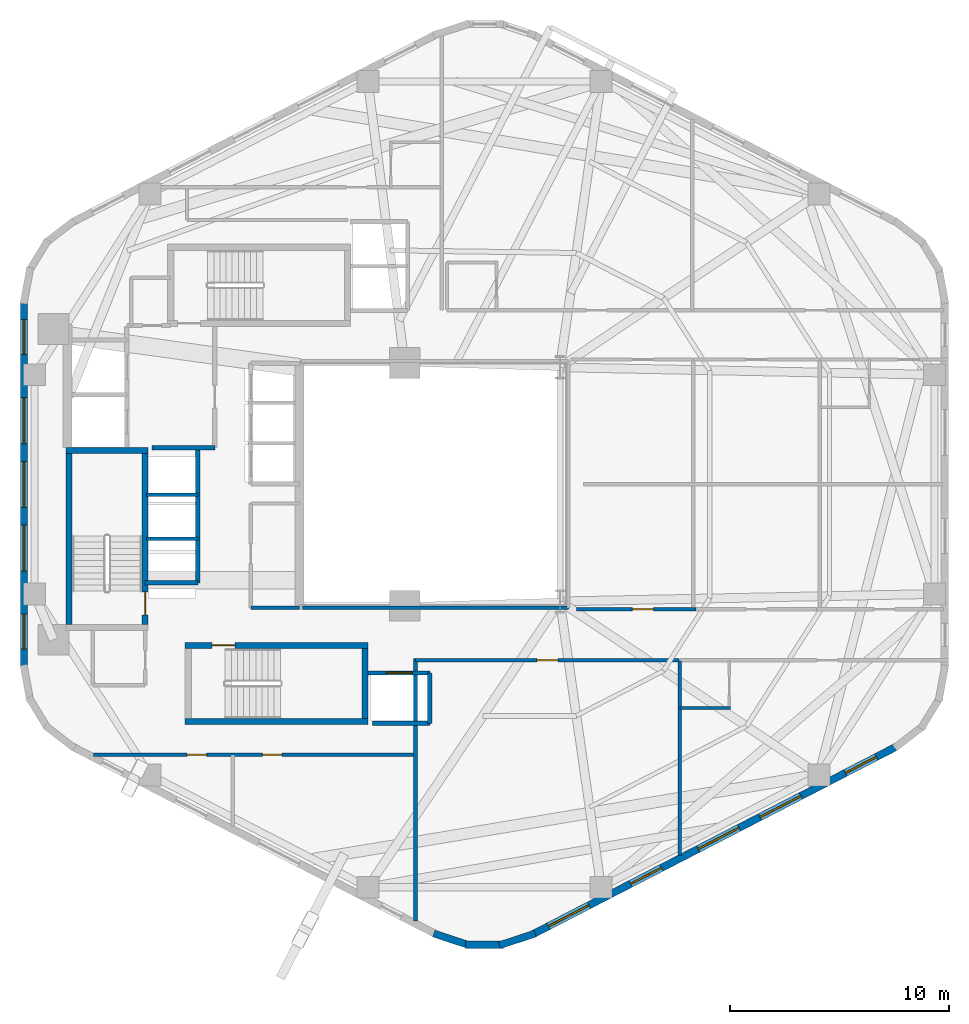
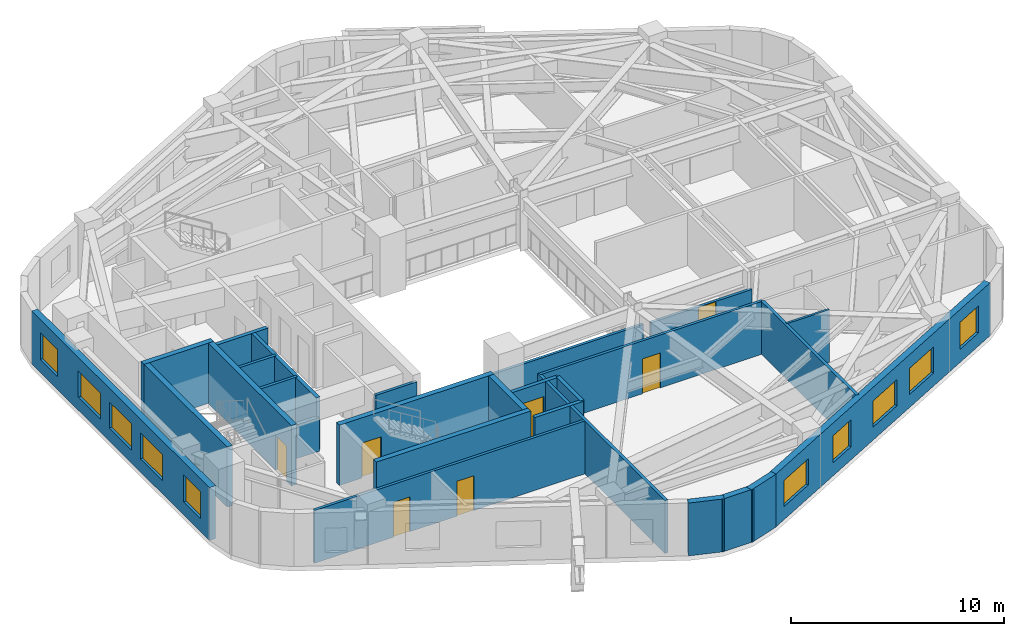
# One storey, part 3 of 7: 27 walls, 10 windows, 7 doors, 17 openings.
"""IFC4 building model written with IfcOpenShell, lengths in metres."""

import ifcopenshell
import ifcopenshell.guid

model = None  # the IFC model being written
_history = None  # IfcOwnerHistory: only IFC2X3 demands one
_inside = {}  # id of a spatial element -> (the spatial element, [elements in it])
_under = {}  # id of a project, library or spatial element -> (it, [spatial elements below it])
_declared = {}  # id of a project -> (the project, [libraries it declares])
_typed = {}  # id of a type object -> (the type object, [elements of that type])
_made_of = {}  # id of a material, layer set ... -> (it, [elements and type objects made of it])


def new_model(schema):
    """Start an empty IFC model of exactly this schema.

    Asked for "IFC4X3", IfcOpenShell would pick the latest addendum, in which some entities
    have other attributes; the version numbers below select the first issue.
    IFC2X3 requires an IfcOwnerHistory on every rooted entity: one is made here for all.
    """
    global model, _history
    if schema == "IFC4X3":
        model = ifcopenshell.file(schema_version=(4, 3, 0, 0))
    else:
        model = ifcopenshell.file(schema=schema)
    _inside.clear()
    _under.clear()
    _declared.clear()
    _typed.clear()
    _made_of.clear()
    _history = None
    if model.schema == "IFC2X3":
        org = make("IfcOrganization", Name="unknown")
        user = make(
            "IfcPersonAndOrganization",
            ThePerson=make("IfcPerson", FamilyName="unknown"),
            TheOrganization=org,
        )
        app = make(
            "IfcApplication",
            ApplicationDeveloper=org,
            Version="unknown",
            ApplicationFullName="unknown",
            ApplicationIdentifier="unknown",
        )
        _history = make(
            "IfcOwnerHistory",
            OwningUser=user,
            OwningApplication=app,
            ChangeAction="ADDED",
            CreationDate=0,
        )
    return model


def make(cls, **values):
    """One entity of the class cls with the attributes given. An attribute that is None is left unset."""
    return model.create_entity(
        cls, **{name: value for name, value in values.items() if value is not None}
    )


def rooted(cls, **values):
    """An entity with a GlobalId (a new one), such as an element, a storey or a relation."""
    return make(cls, GlobalId=ifcopenshell.guid.new(), OwnerHistory=_history, **values)


def si_unit(unit_type, name, prefix=None):
    """IfcSIUnit, for example si_unit("LENGTHUNIT", "METRE", prefix="MILLI")."""
    return make("IfcSIUnit", UnitType=unit_type, Prefix=prefix, Name=name)


def assignment(units):
    """IfcUnitAssignment: the units of a project."""
    return None if units is None else make("IfcUnitAssignment", Units=units)


def point(xyz):
    """IfcCartesianPoint."""
    return None if xyz is None else make("IfcCartesianPoint", Coordinates=xyz)


def direction(xyz):
    """IfcDirection."""
    return None if xyz is None else make("IfcDirection", DirectionRatios=xyz)


def frame(location, z_axis=None, x_axis=None):
    """IfcAxis2Placement3D, a coordinate frame: its origin and axes. An axis left out is left unset."""
    return make(
        "IfcAxis2Placement3D",
        Location=point(location),
        Axis=direction(z_axis),
        RefDirection=direction(x_axis),
    )


def frame_2d(location, x_axis=None):
    """IfcAxis2Placement2D, a coordinate frame in the plane: its origin and x axis."""
    return make(
        "IfcAxis2Placement2D", Location=point(location), RefDirection=direction(x_axis)
    )


def origin():
    """The frame at (0, 0, 0) with its axes left unset."""
    return frame((0.0, 0.0, 0.0))


def place(relative_to, where):
    """IfcLocalPlacement: puts the frame where relative to a parent placement (None: the world)."""
    return make(
        "IfcLocalPlacement", PlacementRelTo=relative_to, RelativePlacement=where
    )


def context(
    kind, dimensions, precision=None, world=None, true_north=None, identifier=None
):
    """IfcGeometricRepresentationContext, for example the 3D "Model" context."""
    return make(
        "IfcGeometricRepresentationContext",
        ContextIdentifier=identifier,
        ContextType=kind,
        CoordinateSpaceDimension=dimensions,
        Precision=precision,
        WorldCoordinateSystem=world,
        TrueNorth=true_north,
    )


def subcontext(parent, identifier, kind, view, scale=None):
    """IfcGeometricRepresentationSubContext, for example "Body" below "Model"."""
    return make(
        "IfcGeometricRepresentationSubContext",
        ContextIdentifier=identifier,
        ContextType=kind,
        ParentContext=parent,
        TargetScale=scale,
        TargetView=view,
    )


def project(units=None, contexts=None):
    """IfcProject with its units and contexts."""
    return rooted(
        "IfcProject",
        Name="project",
        RepresentationContexts=contexts,
        UnitsInContext=assignment(units),
    )


def spatial(cls, under=None, at=None, **own):
    """A site, building, storey or space (cls), placed at a placement, below another one or the project."""
    s = rooted(cls, ObjectPlacement=at, **own)
    if under is not None:
        _under.setdefault(under.id(), (under, []))[1].append(s)
    return s


def profile(cls, at=None, kind="AREA", **sizes):
    """A parametric profile (cls). Its sizes go by their IFC names, for example OverallWidth=200.0."""
    return make(cls, ProfileType=kind, Position=at, **sizes)


def rectangle(**sizes):
    """IfcRectangleProfileDef."""
    return profile("IfcRectangleProfileDef", **sizes)


def extrude(swept, where, along, depth):
    """IfcExtrudedAreaSolid: the profile swept, set in the frame where, extruded along a direction by depth."""
    return make(
        "IfcExtrudedAreaSolid",
        SweptArea=swept,
        Position=where,
        ExtrudedDirection=direction(along),
        Depth=depth,
    )


def shape(context_of_items, identifier, shape_type, items):
    """IfcShapeRepresentation: the items that make up one representation, for example the "Body"."""
    return make(
        "IfcShapeRepresentation",
        ContextOfItems=context_of_items,
        RepresentationIdentifier=identifier,
        RepresentationType=shape_type,
        Items=items,
    )


def material(Name=None, Category=None):
    """IfcMaterial."""
    return make("IfcMaterial", Name=Name, Category=Category)


def layer(
    of_material, thickness, ventilated=None, Name=None, Category=None, Priority=None
):
    """IfcMaterialLayer: one layer of a wall or slab, of a material (None: an air gap)."""
    return make(
        "IfcMaterialLayer",
        Material=of_material,
        LayerThickness=thickness,
        IsVentilated=ventilated,
        Name=Name,
        Category=Category,
        Priority=Priority,
    )


def layer_set(layers, Name=None):
    """IfcMaterialLayerSet."""
    return make("IfcMaterialLayerSet", MaterialLayers=layers, LayerSetName=Name)


def made_of(thing, what):
    """Note that an element or type object is made of a material, layer set ...; save() writes the relation."""
    if what is not None:
        _made_of.setdefault(what.id(), (what, []))[1].append(thing)
    return thing


def type_object(cls, material=None, **own):
    """A type object (cls), such as IfcWallType, which elements share."""
    return made_of(rooted(cls, **own), material)


def element(
    cls,
    number,
    at=None,
    inside=None,
    cuts=None,
    type_object=None,
    material=None,
    context=None,
    identifier="Body",
    shape_type=None,
    held_by="IfcProductDefinitionShape",
    body=None,
    shapes=None,
    **own,
):
    """One element of the class cls, such as IfcWall. Its Tag is "e" and its number.

    at: its placement. inside: the storey or other place that contains it. cuts: it is an
    opening in that element (IfcRelVoidsElement). A single representation is given by context,
    identifier, shape_type and body (its items); several are given by shapes. held_by: the class
    of the entity that holds the representations. save() writes the other relations.
    """
    e = rooted(cls, Tag="e%d" % number, ObjectPlacement=at, **own)
    if body is not None:
        shapes = [shape(context, identifier, shape_type, body)]
    if shapes is not None:
        e.Representation = make(held_by, Representations=shapes)
    if inside is not None:
        _inside.setdefault(inside.id(), (inside, []))[1].append(e)
    if cuts is not None:
        rooted(
            "IfcRelVoidsElement", RelatingBuildingElement=cuts, RelatedOpeningElement=e
        )
    if type_object is not None:
        _typed.setdefault(type_object.id(), (type_object, []))[1].append(e)
    return made_of(e, material)


def fill(opening, filler):
    """IfcRelFillsElement: the door or window that sits in an opening."""
    return rooted(
        "IfcRelFillsElement",
        RelatingOpeningElement=opening,
        RelatedBuildingElement=filler,
    )


def aggregate(whole, parts):
    """IfcRelAggregates: a whole, such as a stair, and the parts it consists of."""
    return rooted("IfcRelAggregates", RelatingObject=whole, RelatedObjects=parts)


def save(model, path):
    """Write the relations noted so far, then the file.

    IfcRelAggregates (storeys below a building ...), IfcRelContainedInSpatialStructure (elements
    in a storey), IfcRelDefinesByType, IfcRelAssociatesMaterial and IfcRelDeclares: one each for
    every whole, place, type object, material and project.
    """
    for whole, parts in _under.values():
        aggregate(whole, parts)
    for where, things in _inside.values():
        rooted(
            "IfcRelContainedInSpatialStructure",
            RelatedElements=things,
            RelatingStructure=where,
        )
    for kind, things in _typed.values():
        rooted("IfcRelDefinesByType", RelatedObjects=things, RelatingType=kind)
    for what, things in _made_of.values():
        rooted("IfcRelAssociatesMaterial", RelatedObjects=things, RelatingMaterial=what)
    for by, libraries in _declared.values():
        rooted("IfcRelDeclares", RelatingContext=by, RelatedDefinitions=libraries)
    model.write(path)


model = new_model("IFC4")

# Units and contexts
model_context = context("Model", 3, precision=1e-05, world=origin(), true_north=direction((0.0, 1.0)))
body_context = subcontext(model_context, "Body", "Model", "MODEL_VIEW")
ifc_project = project(units=[si_unit("LENGTHUNIT", "METRE"), si_unit("AREAUNIT", "SQUARE_METRE"), si_unit("VOLUMEUNIT", "CUBIC_METRE"), si_unit("PLANEANGLEUNIT", "RADIAN"), si_unit("MASSUNIT", "GRAM", prefix="KILO"), si_unit("THERMODYNAMICTEMPERATUREUNIT", "KELVIN"), si_unit("POWERUNIT", "WATT")], contexts=[model_context])

# Site, building, storey
site_placement = place(None, origin())
site = spatial("IfcSite", under=ifc_project, at=site_placement, CompositionType="ELEMENT")
building_placement = place(site_placement, origin())
building = spatial("IfcBuilding", under=site, at=building_placement, Name="Skarre Station Tower", CompositionType="ELEMENT")
storey_placement = place(building_placement, frame((0.0, 0.0, 160.199951171875)))
storey = spatial("IfcBuildingStorey", under=building, at=storey_placement, Name="L43", CompositionType="ELEMENT", Elevation=160.199951171875)

# Walls
ifc_material_1 = material(Name="Acoustic Steel-Stud Gypsum Partition", Category="steel")
ifc_layer_1 = layer(ifc_material_1, 0.14990234375, Name="Acoustic Steel-Stud Gypsum Partition")
ifc_layer_set_1 = layer_set([ifc_layer_1], Name="Acoustic Steel-Stud Gypsum Partition")
wall_type_1 = type_object("IfcWallType", Name="Fire-Rated Corridor Acoustic Partition 150", PredefinedType="PARTITIONING", material=ifc_layer_set_1)
wall_1_placement = place(storey_placement, frame((25.320068359375, 18.360107421875, 0.0), z_axis=(0.0, 0.0, 1.0), x_axis=(1.0, 0.0, 0.0)))
element("IfcWall", 1, at=wall_1_placement, inside=storey, type_object=wall_type_1, Name="L43 Interior Partition WL-PT-L43-RC1-S", PredefinedType="PARTITIONING", context=body_context, shape_type="SweptSolid", body=[
    extrude(rectangle(XDim=2.22998046875, YDim=0.14990234375, at=frame_2d((1.114990234375, 0.0))), origin(), (0.0, 0.0, 1.0), 3.030029296875),
])
wall_2_placement = place(storey_placement, frame((27.675048828125, 18.360107421875, 0.0), z_axis=(0.0, 0.0, 1.0), x_axis=(1.0, 0.0, 0.0)))
element("IfcWall", 2, at=wall_2_placement, inside=storey, type_object=wall_type_1, Name="L43 Interior Partition WL-PT-L43-ATRW-S", PredefinedType="PARTITIONING", context=body_context, shape_type="SweptSolid", body=[
    extrude(rectangle(XDim=12.1650390625, YDim=0.14990234375, at=frame_2d((6.08251953125, 0.0))), origin(), (0.0, 0.0, 1.0), 2.02197265625),
])

# Wall, openings, doors
wall_3_placement = place(storey_placement, frame((18.1259765625, 11.639892578125, 0.0), z_axis=(0.0, 0.0, 1.0), x_axis=(1.0, 0.0, 0.0)))
wall_3 = element("IfcWall", 3, at=wall_3_placement, inside=storey, type_object=wall_type_1, Name="L43 Interior Partition WL-PT-L43-SWP-N", PredefinedType="PARTITIONING", context=body_context, shape_type="SweptSolid", body=[
    extrude(rectangle(XDim=14.72412109375, YDim=0.14990234375, at=frame_2d((7.362060546875, 0.0))), origin(), (0.0, 0.0, 1.0), 3.030029296875),
])
opening_1_placement = place(wall_3_placement, frame((4.27392578125, 0.0, 0.0)))
opening_1 = element("IfcOpeningElement", 4, at=opening_1_placement, cuts=wall_3, Name="Opening DR-SVC90", PredefinedType="OPENING", context=body_context, shape_type="SweptSolid", body=[
    extrude(rectangle(XDim=0.89990234375, YDim=2.0, at=frame_2d((0.449951171875, 1.0))), frame((0.0, 0.0849609375, 0.0), z_axis=(0.0, -1.0, 0.0), x_axis=(1.0, 0.0, 0.0)), (0.0, 0.0, 1.0), 0.169921875),
])
opening_2_placement = place(wall_3_placement, frame((7.72412109375, 0.0, 0.0)))
opening_2 = element("IfcOpeningElement", 5, at=opening_2_placement, cuts=wall_3, Name="Opening DR-SVC90", PredefinedType="OPENING", context=body_context, shape_type="SweptSolid", body=[
    extrude(rectangle(XDim=0.89990234375, YDim=2.0, at=frame_2d((0.449951171875, 1.0))), frame((0.0, 0.0849609375, 0.0), z_axis=(0.0, -1.0, 0.0), x_axis=(1.0, 0.0, 0.0)), (0.0, 0.0, 1.0), 0.169921875),
])
ifc_material_2 = material(Name="Powder-Coated Hollow-Metal Acoustic Fire Leaf", Category="steel")
door_type_1 = type_object("IfcDoorType", Name="Service & Riser Fire Door FD60 900x2100", OperationType="SINGLE_SWING_LEFT", PredefinedType="DOOR", material=ifc_material_2)
door_1_placement = place(opening_1_placement, origin())
door_1 = element("IfcDoor", 6, at=door_1_placement, inside=storey, type_object=door_type_1, Name="L43 Floor Public Toilets Door", OperationType="SINGLE_SWING_LEFT", OverallHeight=2.0, OverallWidth=0.89990234375, PredefinedType="DOOR", context=body_context, shape_type="SweptSolid", body=[
    extrude(rectangle(XDim=0.89990234375, YDim=2.0, at=frame_2d((0.449951171875, 1.0))), frame((0.0, 0.02490234375, 0.0), z_axis=(0.0, -1.0, 0.0), x_axis=(1.0, 0.0, 0.0)), (0.0, 0.0, 1.0), 0.050048828125),
])
fill(opening_1, door_1)
door_2_placement = place(opening_2_placement, origin())
door_2 = element("IfcDoor", 7, at=door_2_placement, inside=storey, type_object=door_type_1, Name="L43 Housekeeping Room Door", OperationType="SINGLE_SWING_LEFT", OverallHeight=2.0, OverallWidth=0.89990234375, PredefinedType="DOOR", context=body_context, shape_type="SweptSolid", body=[
    extrude(rectangle(XDim=0.89990234375, YDim=2.0, at=frame_2d((0.449951171875, 1.0))), frame((0.0, 0.02490234375, 0.0), z_axis=(0.0, -1.0, 0.0), x_axis=(1.0, 0.0, 0.0)), (0.0, 0.0, 1.0), 0.050048828125),
])
fill(opening_2, door_2)

# Wall, opening, door
wall_4_placement = place(storey_placement, frame((45.6689453125, 18.2900390625, 0.0), z_axis=(0.0, 0.0, 1.0), x_axis=(-1.0, 0.0, 0.0)))
wall_4 = element("IfcWall", 8, at=wall_4_placement, inside=storey, type_object=wall_type_1, Name="L43 Interior Partition WL-PT-L43-EWS1-CW", PredefinedType="PARTITIONING", context=body_context, shape_type="SweptSolid", body=[
    extrude(rectangle(XDim=5.468994140625, YDim=0.14990234375, at=frame_2d((2.734375, 0.0))), origin(), (0.0, 0.0, 1.0), 2.02197265625),
])
opening_3_placement = place(wall_4_placement, frame((1.947021484375, 0.0, 0.0)))
opening_3 = element("IfcOpeningElement", 9, at=opening_3_placement, cuts=wall_4, Name="Opening DR-FD60", PredefinedType="OPENING", context=body_context, shape_type="SweptSolid", body=[
    extrude(rectangle(XDim=0.9599609375, YDim=2.0, at=frame_2d((0.47998046875, 1.0))), frame((0.0, 0.0849609375, 0.0), z_axis=(0.0, -1.0, 0.0), x_axis=(1.0, 0.0, 0.0)), (0.0, 0.0, 1.0), 0.169921875),
])
ifc_material_3 = material(Name="Nordic White-Oak Veneer Solid-Core Fire Leaf", Category="wood")
door_type_2 = type_object("IfcDoorType", Name="Corridor Suite Entry Fire Door FD60 960x2150", OperationType="SINGLE_SWING_LEFT", PredefinedType="DOOR", material=ifc_material_3)
door_3_placement = place(opening_3_placement, origin())
door_3 = element("IfcDoor", 10, at=door_3_placement, inside=storey, type_object=door_type_2, Name="L43 EWS1 Entry Door", OperationType="SINGLE_SWING_LEFT", OverallHeight=2.0, OverallWidth=0.9599609375, PredefinedType="DOOR", context=body_context, shape_type="SweptSolid", body=[
    extrude(rectangle(XDim=0.9599609375, YDim=2.0, at=frame_2d((0.47998046875, 1.0))), frame((0.0, 0.02490234375, 0.0), z_axis=(0.0, -1.0, 0.0), x_axis=(1.0, 0.0, 0.0)), (0.0, 0.0, 1.0), 0.050048828125),
])
fill(opening_3, door_3)

wall_5_placement = place(storey_placement, frame((32.85009765625, 15.9599609375, 0.0), z_axis=(0.0, 0.0, 1.0), x_axis=(1.0, 0.0, 0.0)))
wall_5 = element("IfcWall", 11, at=wall_5_placement, inside=storey, type_object=wall_type_1, Name="L43 Interior Partition WL-PT-L43-SW1-CW", PredefinedType="PARTITIONING", context=body_context, shape_type="SweptSolid", body=[
    extrude(rectangle(XDim=12.05078125, YDim=0.14990234375, at=frame_2d((6.025390625, 0.0))), origin(), (0.0, 0.0, 1.0), 3.030029296875),
])
opening_4_placement = place(wall_5_placement, frame((5.5458984375, 0.0, 0.0)))
opening_4 = element("IfcOpeningElement", 12, at=opening_4_placement, cuts=wall_5, Name="Opening DR-FD60", PredefinedType="OPENING", context=body_context, shape_type="SweptSolid", body=[
    extrude(rectangle(XDim=0.9599609375, YDim=2.0, at=frame_2d((0.47998046875, 1.0))), frame((0.0, 0.0849609375, 0.0), z_axis=(0.0, -1.0, 0.0), x_axis=(1.0, 0.0, 0.0)), (0.0, 0.0, 1.0), 0.169921875),
])
door_4_placement = place(opening_4_placement, origin())
door_4 = element("IfcDoor", 13, at=door_4_placement, inside=storey, type_object=door_type_2, Name="L43 SW1 Entry Door", OperationType="SINGLE_SWING_LEFT", OverallHeight=2.0, OverallWidth=0.9599609375, PredefinedType="DOOR", context=body_context, shape_type="SweptSolid", body=[
    extrude(rectangle(XDim=0.9599609375, YDim=2.0, at=frame_2d((0.47998046875, 1.0))), frame((0.0, 0.02490234375, 0.0), z_axis=(0.0, -1.0, 0.0), x_axis=(1.0, 0.0, 0.0)), (0.0, 0.0, 1.0), 0.050048828125),
])
fill(opening_4, door_4)

# Wall
ifc_material_4 = material(Name="Insulated Timber-Stud Gypsum Partition", Category="wood")
ifc_layer_2 = layer(ifc_material_4, 0.1201171875, Name="Insulated Timber-Stud Gypsum Partition")
ifc_layer_set_2 = layer_set([ifc_layer_2], Name="Insulated Timber-Stud Gypsum Partition")
wall_type_2 = type_object("IfcWallType", Name="Internal Suite Acoustic Partition 120", PredefinedType="PARTITIONING", material=ifc_layer_set_2)
wall_6_placement = place(storey_placement, frame((44.93701171875, 13.780029296875, 0.0), z_axis=(0.0, 0.0, 1.0), x_axis=(1.0, 0.0, 0.0)))
element("IfcWall", 14, at=wall_6_placement, inside=storey, type_object=wall_type_2, Name="L43 Interior Partition WL-PT-L43-SW2-EW1", PredefinedType="PARTITIONING", context=body_context, shape_type="SweptSolid", body=[
    extrude(rectangle(XDim=2.320068359375, YDim=0.1201171875, at=frame_2d((1.16015625, 0.0))), origin(), (0.0, 0.0, 1.0), 3.030029296875),
])

# Wall, openings, windows
ifc_material_5 = material(Name="Precast concrete C45/55", Category="concrete")
ifc_layer_3 = layer(ifc_material_5, 0.340087890625, Name="Precast concrete C45/55")
ifc_layer_set_3 = layer_set([ifc_layer_3], Name="Precast concrete C45/55")
wall_type_3 = type_object("IfcWallType", Name="Nordic Honed Precast Facet Wall 340", PredefinedType="STANDARD", material=ifc_layer_set_3)
wall_7_placement = place(storey_placement, frame((14.951904296875, 15.64794921875, 0.0), z_axis=(0.0, 0.0, 1.0), x_axis=(0.0, 1.0, 0.0)))
wall_7 = element("IfcWall", 15, at=wall_7_placement, inside=storey, type_object=wall_type_3, Name="L43 Facet 2 Nordic Precast Masonry Wall", PredefinedType="STANDARD", context=body_context, shape_type="SweptSolid", body=[
    extrude(rectangle(XDim=16.7041015625, YDim=0.340087890625, at=frame_2d((8.35205078125, 0.0))), origin(), (0.0, 0.0, 1.0), 3.030029296875),
])
opening_5_placement = place(wall_7_placement, frame((0.825927734375, 0.0, 0.75)))
opening_5 = element("IfcOpeningElement", 16, at=opening_5_placement, cuts=wall_7, Name="Opening WN-Z2A", PredefinedType="OPENING", context=body_context, shape_type="SweptSolid", body=[
    extrude(rectangle(XDim=1.60009765625, YDim=1.550048828125, at=frame_2d((0.800048828125, 0.77490234375))), frame((0.0, 0.179931640625, 0.0), z_axis=(0.0, -1.0, 0.0), x_axis=(1.0, 0.0, 0.0)), (0.0, 0.0, 1.0), 0.360107421875),
])
opening_6_placement = place(wall_7_placement, frame((4.387939453125, 0.0, 0.75)))
opening_6 = element("IfcOpeningElement", 17, at=opening_6_placement, cuts=wall_7, Name="Opening WN-Z2B", PredefinedType="OPENING", context=body_context, shape_type="SweptSolid", body=[
    extrude(rectangle(XDim=2.10009765625, YDim=1.5, at=frame_2d((1.050048828125, 0.75))), frame((0.0, 0.179931640625, 0.0), z_axis=(0.0, -1.0, 0.0), x_axis=(1.0, 0.0, 0.0)), (0.0, 0.0, 1.0), 0.360107421875),
])
opening_7_placement = place(wall_7_placement, frame((7.302001953125, 0.0, 0.75)))
opening_7 = element("IfcOpeningElement", 18, at=opening_7_placement, cuts=wall_7, Name="Opening WN-Z2B", PredefinedType="OPENING", context=body_context, shape_type="SweptSolid", body=[
    extrude(rectangle(XDim=2.10009765625, YDim=1.5, at=frame_2d((1.050048828125, 0.75))), frame((0.0, 0.179931640625, 0.0), z_axis=(0.0, -1.0, 0.0), x_axis=(1.0, 0.0, 0.0)), (0.0, 0.0, 1.0), 0.360107421875),
])
opening_8_placement = place(wall_7_placement, frame((10.216064453125, 0.0, 0.75)))
opening_8 = element("IfcOpeningElement", 19, at=opening_8_placement, cuts=wall_7, Name="Opening WN-Z2B", PredefinedType="OPENING", context=body_context, shape_type="SweptSolid", body=[
    extrude(rectangle(XDim=2.10009765625, YDim=1.5, at=frame_2d((1.050048828125, 0.75))), frame((0.0, 0.179931640625, 0.0), z_axis=(0.0, -1.0, 0.0), x_axis=(1.0, 0.0, 0.0)), (0.0, 0.0, 1.0), 0.360107421875),
])
opening_9_placement = place(wall_7_placement, frame((14.278076171875, 0.0, 0.75)))
opening_9 = element("IfcOpeningElement", 20, at=opening_9_placement, cuts=wall_7, Name="Opening WN-Z2A", PredefinedType="OPENING", context=body_context, shape_type="SweptSolid", body=[
    extrude(rectangle(XDim=1.60009765625, YDim=1.550048828125, at=frame_2d((0.800048828125, 0.77490234375))), frame((0.0, 0.179931640625, 0.0), z_axis=(0.0, -1.0, 0.0), x_axis=(1.0, 0.0, 0.0)), (0.0, 0.0, 1.0), 0.360107421875),
])
ifc_material_6 = material(Name="Low-Iron Triple Glazing with Bronze Anodized Frame", Category="glass")
window_type_1 = type_object("IfcWindowType", Name="Nordic Residential Tall Window 1600x1550", PartitioningType="SINGLE_PANEL", PredefinedType="WINDOW", material=ifc_material_6)
window_1_placement = place(opening_5_placement, origin())
window_1 = element("IfcWindow", 21, at=window_1_placement, inside=storey, type_object=window_type_1, Name="L43 Facade Window WL-FAC-L43-F2-1", OverallHeight=1.550048828125, OverallWidth=1.60009765625, PartitioningType="SINGLE_PANEL", PredefinedType="WINDOW", context=body_context, shape_type="SweptSolid", body=[
    extrude(rectangle(XDim=1.60009765625, YDim=1.550048828125, at=frame_2d((0.800048828125, 0.77490234375))), frame((0.0, 0.030029296875, 0.0), z_axis=(0.0, -1.0, 0.0), x_axis=(1.0, 0.0, 0.0)), (0.0, 0.0, 1.0), 0.06005859375),
])
fill(opening_5, window_1)
window_2_placement = place(opening_9_placement, origin())
window_2 = element("IfcWindow", 22, at=window_2_placement, inside=storey, type_object=window_type_1, Name="L43 Facade Window WL-FAC-L43-F2-5", OverallHeight=1.550048828125, OverallWidth=1.60009765625, PartitioningType="SINGLE_PANEL", PredefinedType="WINDOW", context=body_context, shape_type="SweptSolid", body=[
    extrude(rectangle(XDim=1.60009765625, YDim=1.550048828125, at=frame_2d((0.800048828125, 0.77490234375))), frame((0.0, 0.030029296875, 0.0), z_axis=(0.0, -1.0, 0.0), x_axis=(1.0, 0.0, 0.0)), (0.0, 0.0, 1.0), 0.06005859375),
])
fill(opening_9, window_2)
window_type_2 = type_object("IfcWindowType", Name="Nordic Residential Twin Window 2100x1500", PartitioningType="SINGLE_PANEL", PredefinedType="WINDOW", material=ifc_material_6)
window_3_placement = place(opening_6_placement, origin())
window_3 = element("IfcWindow", 23, at=window_3_placement, inside=storey, type_object=window_type_2, Name="L43 Facade Window WL-FAC-L43-F2-2", OverallHeight=1.5, OverallWidth=2.10009765625, PartitioningType="SINGLE_PANEL", PredefinedType="WINDOW", context=body_context, shape_type="SweptSolid", body=[
    extrude(rectangle(XDim=2.10009765625, YDim=1.5, at=frame_2d((1.050048828125, 0.75))), frame((0.0, 0.030029296875, 0.0), z_axis=(0.0, -1.0, 0.0), x_axis=(1.0, 0.0, 0.0)), (0.0, 0.0, 1.0), 0.06005859375),
])
fill(opening_6, window_3)
window_4_placement = place(opening_7_placement, origin())
window_4 = element("IfcWindow", 24, at=window_4_placement, inside=storey, type_object=window_type_2, Name="L43 Facade Window WL-FAC-L43-F2-3", OverallHeight=1.5, OverallWidth=2.10009765625, PartitioningType="SINGLE_PANEL", PredefinedType="WINDOW", context=body_context, shape_type="SweptSolid", body=[
    extrude(rectangle(XDim=2.10009765625, YDim=1.5, at=frame_2d((1.050048828125, 0.75))), frame((0.0, 0.030029296875, 0.0), z_axis=(0.0, -1.0, 0.0), x_axis=(1.0, 0.0, 0.0)), (0.0, 0.0, 1.0), 0.06005859375),
])
fill(opening_7, window_4)
window_5_placement = place(opening_8_placement, origin())
window_5 = element("IfcWindow", 25, at=window_5_placement, inside=storey, type_object=window_type_2, Name="L43 Facade Window WL-FAC-L43-F2-4", OverallHeight=1.5, OverallWidth=2.10009765625, PartitioningType="SINGLE_PANEL", PredefinedType="WINDOW", context=body_context, shape_type="SweptSolid", body=[
    extrude(rectangle(XDim=2.10009765625, YDim=1.5, at=frame_2d((1.050048828125, 0.75))), frame((0.0, 0.030029296875, 0.0), z_axis=(0.0, -1.0, 0.0), x_axis=(1.0, 0.0, 0.0)), (0.0, 0.0, 1.0), 0.06005859375),
])
fill(opening_8, window_5)

wall_8_placement = place(storey_placement, frame((54.8310546875, 12.010009765625, 0.0), z_axis=(0.0, 0.0, 1.0), x_axis=(-0.888613612362, -0.458656568606, 0.0)))
wall_8 = element("IfcWall", 26, at=wall_8_placement, inside=storey, type_object=wall_type_3, Name="L43 Facet 4 Nordic Precast Masonry Wall", PredefinedType="STANDARD", context=body_context, shape_type="SweptSolid", body=[
    extrude(rectangle(XDim=18.680908203125, YDim=0.340087890625, at=frame_2d((9.34033203125, 0.0))), origin(), (0.0, 0.0, 1.0), 3.030029296875),
])
opening_10_placement = place(wall_8_placement, frame((1.02294921875, 0.0, 0.75)))
opening_10 = element("IfcOpeningElement", 27, at=opening_10_placement, cuts=wall_8, Name="Opening WN-Z2A", PredefinedType="OPENING", context=body_context, shape_type="SweptSolid", body=[
    extrude(rectangle(XDim=1.60009765625, YDim=1.550048828125, at=frame_2d((0.800048828125, 0.77490234375))), frame((0.0, 0.179931640625, 0.0), z_axis=(0.0, -1.0, 0.0), x_axis=(1.0, 0.0, 0.0)), (0.0, 0.0, 1.0), 0.360107421875),
])
opening_11_placement = place(wall_8_placement, frame((4.9140625, 0.0, 0.75)))
opening_11 = element("IfcOpeningElement", 28, at=opening_11_placement, cuts=wall_8, Name="Opening WN-Z2B", PredefinedType="OPENING", context=body_context, shape_type="SweptSolid", body=[
    extrude(rectangle(XDim=2.10009765625, YDim=1.5, at=frame_2d((1.050048828125, 0.75))), frame((0.0, 0.179931640625, 0.0), z_axis=(0.0, -1.0, 0.0), x_axis=(1.0, 0.0, 0.0)), (0.0, 0.0, 1.0), 0.360107421875),
])
opening_12_placement = place(wall_8_placement, frame((8.092041015625, 0.0, 0.75)))
opening_12 = element("IfcOpeningElement", 29, at=opening_12_placement, cuts=wall_8, Name="Opening WN-Z2B", PredefinedType="OPENING", context=body_context, shape_type="SweptSolid", body=[
    extrude(rectangle(XDim=2.10009765625, YDim=1.5, at=frame_2d((1.050048828125, 0.75))), frame((0.0, 0.179931640625, 0.0), z_axis=(0.0, -1.0, 0.0), x_axis=(1.0, 0.0, 0.0)), (0.0, 0.0, 1.0), 0.360107421875),
])
opening_13_placement = place(wall_8_placement, frame((12.080078125, 0.0, 0.75)))
opening_13 = element("IfcOpeningElement", 30, at=opening_13_placement, cuts=wall_8, Name="Opening WN-Z2A", PredefinedType="OPENING", context=body_context, shape_type="SweptSolid", body=[
    extrude(rectangle(XDim=1.60009765625, YDim=1.550048828125, at=frame_2d((0.800048828125, 0.77490234375))), frame((0.0, 0.179931640625, 0.0), z_axis=(0.0, -1.0, 0.0), x_axis=(1.0, 0.0, 0.0)), (0.0, 0.0, 1.0), 0.360107421875),
])
opening_14_placement = place(wall_8_placement, frame((15.80810546875, 0.0, 0.75)))
opening_14 = element("IfcOpeningElement", 31, at=opening_14_placement, cuts=wall_8, Name="Opening WN-Z2B", PredefinedType="OPENING", context=body_context, shape_type="SweptSolid", body=[
    extrude(rectangle(XDim=2.10009765625, YDim=1.5, at=frame_2d((1.050048828125, 0.75))), frame((0.0, 0.179931640625, 0.0), z_axis=(0.0, -1.0, 0.0), x_axis=(1.0, 0.0, 0.0)), (0.0, 0.0, 1.0), 0.360107421875),
])
window_6_placement = place(opening_10_placement, origin())
window_6 = element("IfcWindow", 32, at=window_6_placement, inside=storey, type_object=window_type_1, Name="L43 Facade Window WL-FAC-L43-F4-1", OverallHeight=1.550048828125, OverallWidth=1.60009765625, PartitioningType="SINGLE_PANEL", PredefinedType="WINDOW", context=body_context, shape_type="SweptSolid", body=[
    extrude(rectangle(XDim=1.60009765625, YDim=1.550048828125, at=frame_2d((0.800048828125, 0.77490234375))), frame((0.0, 0.030029296875, 0.0), z_axis=(0.0, -1.0, 0.0), x_axis=(1.0, 0.0, 0.0)), (0.0, 0.0, 1.0), 0.06005859375),
])
fill(opening_10, window_6)
window_7_placement = place(opening_13_placement, origin())
window_7 = element("IfcWindow", 33, at=window_7_placement, inside=storey, type_object=window_type_1, Name="L43 Facade Window WL-FAC-L43-F4-4", OverallHeight=1.550048828125, OverallWidth=1.60009765625, PartitioningType="SINGLE_PANEL", PredefinedType="WINDOW", context=body_context, shape_type="SweptSolid", body=[
    extrude(rectangle(XDim=1.60009765625, YDim=1.550048828125, at=frame_2d((0.800048828125, 0.77490234375))), frame((0.0, 0.030029296875, 0.0), z_axis=(0.0, -1.0, 0.0), x_axis=(1.0, 0.0, 0.0)), (0.0, 0.0, 1.0), 0.06005859375),
])
fill(opening_13, window_7)
window_8_placement = place(opening_11_placement, origin())
window_8 = element("IfcWindow", 34, at=window_8_placement, inside=storey, type_object=window_type_2, Name="L43 Facade Window WL-FAC-L43-F4-2", OverallHeight=1.5, OverallWidth=2.10009765625, PartitioningType="SINGLE_PANEL", PredefinedType="WINDOW", context=body_context, shape_type="SweptSolid", body=[
    extrude(rectangle(XDim=2.10009765625, YDim=1.5, at=frame_2d((1.050048828125, 0.75))), frame((0.0, 0.030029296875, 0.0), z_axis=(0.0, -1.0, 0.0), x_axis=(1.0, 0.0, 0.0)), (0.0, 0.0, 1.0), 0.06005859375),
])
fill(opening_11, window_8)
window_9_placement = place(opening_12_placement, origin())
window_9 = element("IfcWindow", 35, at=window_9_placement, inside=storey, type_object=window_type_2, Name="L43 Facade Window WL-FAC-L43-F4-3", OverallHeight=1.5, OverallWidth=2.10009765625, PartitioningType="SINGLE_PANEL", PredefinedType="WINDOW", context=body_context, shape_type="SweptSolid", body=[
    extrude(rectangle(XDim=2.10009765625, YDim=1.5, at=frame_2d((1.050048828125, 0.75))), frame((0.0, 0.030029296875, 0.0), z_axis=(0.0, -1.0, 0.0), x_axis=(1.0, 0.0, 0.0)), (0.0, 0.0, 1.0), 0.06005859375),
])
fill(opening_12, window_9)
window_10_placement = place(opening_14_placement, origin())
window_10 = element("IfcWindow", 36, at=window_10_placement, inside=storey, type_object=window_type_2, Name="L43 Facade Window WL-FAC-L43-F4-5", OverallHeight=1.5, OverallWidth=2.10009765625, PartitioningType="SINGLE_PANEL", PredefinedType="WINDOW", context=body_context, shape_type="SweptSolid", body=[
    extrude(rectangle(XDim=2.10009765625, YDim=1.5, at=frame_2d((1.050048828125, 0.75))), frame((0.0, 0.030029296875, 0.0), z_axis=(0.0, -1.0, 0.0), x_axis=(1.0, 0.0, 0.0)), (0.0, 0.0, 1.0), 0.06005859375),
])
fill(opening_14, window_10)

# Walls
ifc_layer_4 = layer(ifc_material_5, 0.330078125, Name="Precast concrete C45/55")
ifc_layer_set_4 = layer_set([ifc_layer_4], Name="Precast concrete C45/55")
wall_type_4 = type_object("IfcWallType", Name="Nordic Rounded Corner Precast Wall 330", PredefinedType="STANDARD", material=ifc_layer_set_4)
for number, where, z_axis, x_axis, name in (
    (37, (38.319091796875, 3.468017578125, 0.0), (0.0, 0.0, 1.0), (-0.949937416267, -0.312440242569, 0.0), "L43 Rounded Corner Precast Wall F4-1"),
    (38, (36.861083984375, 2.958984375, 0.0), (0.0, 0.0, 1.0), (-1.0, 0.0, 0.0), "L43 Rounded Corner Precast Wall F4-2"),
    (39, (35.31689453125, 2.929931640625, 0.0), (0.0, 0.0, 1.0), (-0.949937416267, 0.312440242569, 0.0), "L43 Rounded Corner Precast Wall F4-3"),
):
    element("IfcWall", number, at=place(storey_placement, frame(where, z_axis=z_axis, x_axis=x_axis)), inside=storey, type_object=wall_type_4, Name=name, PredefinedType="STANDARD", context=body_context, shape_type="SweptSolid", body=[
        extrude(rectangle(XDim=1.72216796875, YDim=0.330078125, at=frame_2d((0.861083984375, 0.0))), origin(), (0.0, 0.0, 1.0), 3.030029296875),
    ])
ifc_material_7 = material(Name="Concrete C50/60", Category="concrete")
ifc_layer_5 = layer(ifc_material_7, 0.280029296875, Name="Concrete C50/60")
ifc_layer_set_5 = layer_set([ifc_layer_5], Name="Concrete C50/60")
wall_type_5 = type_object("IfcWallType", Name="RC Core Shear Wall 280", PredefinedType="SHEAR", material=ifc_layer_set_5)
wall_9_placement = place(storey_placement, frame((20.6298828125, 25.5400390625, 0.0), z_axis=(0.0, 0.0, 1.0), x_axis=(-1.0, 0.0, 0.0)))
element("IfcWall", 40, at=wall_9_placement, inside=storey, type_object=wall_type_5, Name="L43 Stair ST-1 North Shear Wall", PredefinedType="SHEAR", context=body_context, shape_type="SweptSolid", body=[
    extrude(rectangle(XDim=3.759765625, YDim=0.280029296875, at=frame_2d((1.8798828125, 0.0))), origin(), (0.0, 0.0, 1.0), 3.449951171875),
])
wall_10_placement = place(storey_placement, frame((17.010009765625, 25.39990234375, 0.0), z_axis=(0.0, 0.0, 1.0), x_axis=(0.0, -1.0, 0.0)))
element("IfcWall", 41, at=wall_10_placement, inside=storey, type_object=wall_type_5, Name="L43 Stair ST-1 West Shear Wall", PredefinedType="SHEAR", context=body_context, shape_type="SweptSolid", body=[
    extrude(rectangle(XDim=7.7998046875, YDim=0.280029296875, at=frame_2d((3.89990234375, 0.0))), origin(), (0.0, 0.0, 1.0), 3.449951171875),
])

# Wall, opening, door
wall_11_placement = place(storey_placement, frame((20.489990234375, 17.60009765625, 0.0), z_axis=(0.0, 0.0, 1.0), x_axis=(0.0, 1.0, 0.0)))
wall_11 = element("IfcWall", 42, at=wall_11_placement, inside=storey, type_object=wall_type_5, Name="L43 Stair ST-1 East Shear Wall", PredefinedType="SHEAR", context=body_context, shape_type="SweptSolid", body=[
    extrude(rectangle(XDim=7.7998046875, YDim=0.280029296875, at=frame_2d((3.89990234375, 0.0))), origin(), (0.0, 0.0, 1.0), 3.449951171875),
])
opening_15_placement = place(wall_11_placement, frame((0.43994140625, 0.0, 0.0)))
opening_15 = element("IfcOpeningElement", 43, at=opening_15_placement, cuts=wall_11, Name="Opening DR-FD90", PredefinedType="OPENING", context=body_context, shape_type="SweptSolid", body=[
    extrude(rectangle(XDim=1.050048828125, YDim=2.0, at=frame_2d((0.52490234375, 1.0))), frame((0.0, 0.14990234375, 0.0), z_axis=(0.0, -1.0, 0.0), x_axis=(1.0, 0.0, 0.0)), (0.0, 0.0, 1.0), 0.300048828125),
])
ifc_material_8 = material(Name="Fire-Rated Insulated Steel Frame & Timber Core Leaf", Category="steel")
door_type_3 = type_object("IfcDoorType", Name="Stair & FSAE Lobby Fire Door FD90 1050x2150", OperationType="SINGLE_SWING_RIGHT", PredefinedType="DOOR", material=ifc_material_8)
door_5_placement = place(opening_15_placement, origin())
door_5 = element("IfcDoor", 44, at=door_5_placement, inside=storey, type_object=door_type_3, Name="L43 Stair ST-1 Exit Door", OperationType="SINGLE_SWING_RIGHT", OverallHeight=2.0, OverallWidth=1.050048828125, PredefinedType="DOOR", context=body_context, shape_type="SweptSolid", body=[
    extrude(rectangle(XDim=1.050048828125, YDim=2.0, at=frame_2d((0.52490234375, 1.0))), frame((0.0, 0.02490234375, 0.0), z_axis=(0.0, -1.0, 0.0), x_axis=(1.0, 0.0, 0.0)), (0.0, 0.0, 1.0), 0.050048828125),
])
fill(opening_15, door_5)

# Wall
wall_12_placement = place(storey_placement, frame((22.320068359375, 13.159912109375, 0.0), z_axis=(0.0, 0.0, 1.0), x_axis=(1.0, 0.0, 0.0)))
element("IfcWall", 45, at=wall_12_placement, inside=storey, type_object=wall_type_5, Name="L43 Stair ST-2 South Shear Wall", PredefinedType="SHEAR", context=body_context, shape_type="SweptSolid", body=[
    extrude(rectangle(XDim=8.35986328125, YDim=0.280029296875, at=frame_2d((4.179931640625, 0.0))), origin(), (0.0, 0.0, 1.0), 3.449951171875),
])

# Wall, opening, door
wall_13_placement = place(storey_placement, frame((30.679931640625, 16.639892578125, 0.0), z_axis=(0.0, 0.0, 1.0), x_axis=(-1.0, 0.0, 0.0)))
wall_13 = element("IfcWall", 46, at=wall_13_placement, inside=storey, type_object=wall_type_5, Name="L43 Stair ST-2 North Shear Wall", PredefinedType="SHEAR", context=body_context, shape_type="SweptSolid", body=[
    extrude(rectangle(XDim=8.35986328125, YDim=0.280029296875, at=frame_2d((4.179931640625, 0.0))), origin(), (0.0, 0.0, 1.0), 3.449951171875),
])
opening_16_placement = place(wall_13_placement, frame((6.080078125, 0.0, 0.0)))
opening_16 = element("IfcOpeningElement", 47, at=opening_16_placement, cuts=wall_13, Name="Opening DR-FD90", PredefinedType="OPENING", context=body_context, shape_type="SweptSolid", body=[
    extrude(rectangle(XDim=1.050048828125, YDim=2.0, at=frame_2d((0.52490234375, 1.0))), frame((0.0, 0.14990234375, 0.0), z_axis=(0.0, -1.0, 0.0), x_axis=(1.0, 0.0, 0.0)), (0.0, 0.0, 1.0), 0.300048828125),
])
door_6_placement = place(opening_16_placement, origin())
door_6 = element("IfcDoor", 48, at=door_6_placement, inside=storey, type_object=door_type_3, Name="L43 Stair ST-2 Exit Door", OperationType="SINGLE_SWING_RIGHT", OverallHeight=2.0, OverallWidth=1.050048828125, PredefinedType="DOOR", context=body_context, shape_type="SweptSolid", body=[
    extrude(rectangle(XDim=1.050048828125, YDim=2.0, at=frame_2d((0.52490234375, 1.0))), frame((0.0, 0.02490234375, 0.0), z_axis=(0.0, -1.0, 0.0), x_axis=(1.0, 0.0, 0.0)), (0.0, 0.0, 1.0), 0.050048828125),
])
fill(opening_16, door_6)

# Walls
wall_14_placement = place(storey_placement, frame((30.5400390625, 13.300048828125, 0.0), z_axis=(0.0, 0.0, 1.0), x_axis=(0.0, 1.0, 0.0)))
element("IfcWall", 49, at=wall_14_placement, inside=storey, type_object=wall_type_5, Name="L43 Stair ST-2 East Shear Wall", PredefinedType="SHEAR", context=body_context, shape_type="SweptSolid", body=[
    extrude(rectangle(XDim=3.199951171875, YDim=0.280029296875, at=frame_2d((1.60009765625, 0.0))), origin(), (0.0, 0.0, 1.0), 3.449951171875),
])
ifc_material_9 = material(Name="Gypsum Concrete Shaft Assembly C30/37", Category="concrete")
ifc_layer_6 = layer(ifc_material_9, 0.199951171875, Name="Gypsum Concrete Shaft Assembly C30/37")
ifc_layer_set_6 = layer_set([ifc_layer_6], Name="Gypsum Concrete Shaft Assembly C30/37")
wall_type_6 = type_object("IfcWallType", Name="Shaft & Core Fire Partition 200", PredefinedType="PARTITIONING", material=ifc_layer_set_6)
wall_15_placement = place(storey_placement, frame((20.79296875, 25.679931640625, 0.0), z_axis=(0.0, 0.0, 1.0), x_axis=(1.0, 0.0, 0.0)))
element("IfcWall", 50, at=wall_15_placement, inside=storey, type_object=wall_type_6, Name="L43 Interior Partition WL-PT-L43-FSAE-S", PredefinedType="PARTITIONING", context=body_context, shape_type="SweptSolid", body=[
    extrude(rectangle(XDim=2.886962890625, YDim=0.199951171875, at=frame_2d((1.443359375, 0.0))), origin(), (0.0, 0.0, 1.0), 3.030029296875),
])

# Wall, opening, door
wall_16_placement = place(storey_placement, frame((33.5, 15.3798828125, 0.0), z_axis=(0.0, 0.0, 1.0), x_axis=(-1.0, 0.0, 0.0)))
wall_16 = element("IfcWall", 51, at=wall_16_placement, inside=storey, type_object=wall_type_6, Name="L43 Interior Partition WL-PT-L43-SV1-N", PredefinedType="PARTITIONING", context=body_context, shape_type="SweptSolid", body=[
    extrude(rectangle(XDim=2.820068359375, YDim=0.199951171875, at=frame_2d((1.41015625, 0.0))), origin(), (0.0, 0.0, 1.0), 3.030029296875),
])
opening_17_placement = place(wall_16_placement, frame((0.800048828125, 0.0, 0.0)))
opening_17 = element("IfcOpeningElement", 52, at=opening_17_placement, cuts=wall_16, Name="Opening LD-SV1", PredefinedType="OPENING", context=body_context, shape_type="SweptSolid", body=[
    extrude(rectangle(XDim=1.199951171875, YDim=2.199951171875, at=frame_2d((0.60009765625, 1.10009765625))), frame((0.0, 0.10986328125, 0.0), z_axis=(0.0, -1.0, 0.0), x_axis=(1.0, 0.0, 0.0)), (0.0, 0.0, 1.0), 0.219970703125),
])
ifc_material_10 = material(Name="Heavy-Gauge Brushed Stainless Steel Sliding Leaves", Category="steel")
door_type_4 = type_object("IfcDoorType", Name="Service Elevator Wide Sliding Landing Door 1200x2200", OperationType="SLIDING_TO_RIGHT", PredefinedType="DOOR", material=ifc_material_10)
door_7_placement = place(opening_17_placement, origin())
door_7 = element("IfcDoor", 53, at=door_7_placement, inside=storey, type_object=door_type_4, Name="L43 Service Lift LF-SV1 Landing Door", OperationType="SLIDING_TO_RIGHT", OverallHeight=2.199951171875, OverallWidth=1.199951171875, PredefinedType="DOOR", context=body_context, shape_type="SweptSolid", body=[
    extrude(rectangle(XDim=1.199951171875, YDim=2.199951171875, at=frame_2d((0.60009765625, 1.10009765625))), frame((0.0, 0.02490234375, 0.0), z_axis=(0.0, -1.0, 0.0), x_axis=(1.0, 0.0, 0.0)), (0.0, 0.0, 1.0), 0.050048828125),
])
fill(opening_17, door_7)

# Walls
wall_17_placement = place(storey_placement, frame((33.5, 13.080078125, 0.0), z_axis=(0.0, 0.0, 1.0), x_axis=(0.0, 1.0, 0.0)))
element("IfcWall", 54, at=wall_17_placement, inside=storey, type_object=wall_type_6, Name="L43 Interior Partition WL-PT-L43-SV1-E", PredefinedType="PARTITIONING", context=body_context, shape_type="SweptSolid", body=[
    extrude(rectangle(XDim=2.2998046875, YDim=0.199951171875, at=frame_2d((1.14990234375, 0.0))), origin(), (0.0, 0.0, 1.0), 3.030029296875),
])
wall_18_placement = place(storey_placement, frame((30.87890625, 13.080078125, 0.0), z_axis=(0.0, 0.0, 1.0), x_axis=(1.0, 0.0, 0.0)))
element("IfcWall", 55, at=wall_18_placement, inside=storey, type_object=wall_type_6, Name="L43 Interior Partition WL-PT-L43-SV1-S", PredefinedType="PARTITIONING", context=body_context, shape_type="SweptSolid", body=[
    extrude(rectangle(XDim=2.62109375, YDim=0.199951171875, at=frame_2d((1.310546875, 0.0))), origin(), (0.0, 0.0, 1.0), 3.030029296875),
])
wall_19_placement = place(storey_placement, frame((22.89990234375, 19.5, 0.0), z_axis=(0.0, 0.0, 1.0), x_axis=(0.0, 1.0, 0.0)))
element("IfcWall", 56, at=wall_19_placement, inside=storey, type_object=wall_type_6, Name="L43 Interior Partition WL-PT-L43-B3-E", PredefinedType="PARTITIONING", context=body_context, shape_type="SweptSolid", body=[
    extrude(rectangle(XDim=6.0849609375, YDim=0.199951171875, at=frame_2d((3.04248046875, 0.0))), origin(), (0.0, 0.0, 1.0), 3.030029296875),
])
wall_20_placement = place(storey_placement, frame((20.489990234375, 19.5, 0.0), z_axis=(0.0, 0.0, 1.0), x_axis=(1.0, 0.0, 0.0)))
element("IfcWall", 57, at=wall_20_placement, inside=storey, type_object=wall_type_6, Name="L43 Interior Partition WL-PT-L43-B3-S", PredefinedType="PARTITIONING", context=body_context, shape_type="SweptSolid", body=[
    extrude(rectangle(XDim=2.409912109375, YDim=0.199951171875, at=frame_2d((1.205078125, 0.0))), origin(), (0.0, 0.0, 1.0), 1.929931640625),
])
for number, where, z_axis, x_axis, name in (
    (58, (20.550048828125, 21.52001953125, 0.0), (0.0, 0.0, 1.0), (1.0, 0.0, 0.0), "L43 Interior Partition WL-PT-L43-B3-D1"),
    (59, (20.550048828125, 23.52001953125, 0.0), (0.0, 0.0, 1.0), (1.0, 0.0, 0.0), "L43 Interior Partition WL-PT-L43-B3-D2"),
):
    element("IfcWall", number, at=place(storey_placement, frame(where, z_axis=z_axis, x_axis=x_axis)), inside=storey, type_object=wall_type_6, Name=name, PredefinedType="PARTITIONING", context=body_context, shape_type="SweptSolid", body=[
        extrude(rectangle(XDim=2.349853515625, YDim=0.159912109375, at=frame_2d((1.1748046875, 0.0))), origin(), (0.0, 0.0, 1.0), 3.030029296875),
    ])
ifc_layer_7 = layer(ifc_material_1, 0.1650390625, Name="Acoustic Steel-Stud Gypsum Partition")
ifc_layer_set_7 = layer_set([ifc_layer_7], Name="Acoustic Steel-Stud Gypsum Partition")
wall_type_7 = type_object("IfcWallType", Name="Suite Demising Acoustic Partition 165", PredefinedType="PARTITIONING", material=ifc_layer_set_7)
wall_21_placement = place(storey_placement, frame((32.85009765625, 4.0400390625, 0.0), z_axis=(0.0, 0.0, 1.0), x_axis=(0.0, 1.0, 0.0)))
element("IfcWall", 60, at=wall_21_placement, inside=storey, type_object=wall_type_7, Name="L43 Interior Partition WL-PT-L43-SWP-E", PredefinedType="PARTITIONING", context=body_context, shape_type="SweptSolid", body=[
    extrude(rectangle(XDim=11.989990234375, YDim=0.1650390625, at=frame_2d((5.9951171875, 0.0))), origin(), (0.0, 0.0, 1.0), 3.030029296875),
])
wall_22_placement = place(storey_placement, frame((44.9189453125, 7.029052734375, 0.0), z_axis=(0.0, 0.0, 1.0), x_axis=(0.0, 1.0, 0.0)))
element("IfcWall", 61, at=wall_22_placement, inside=storey, type_object=wall_type_7, Name="L43 Interior Partition WL-PT-L43-SW-P1", PredefinedType="PARTITIONING", context=body_context, shape_type="SweptSolid", body=[
    extrude(rectangle(XDim=8.90087890625, YDim=0.1650390625, at=frame_2d((4.450439453125, 0.0))), origin(), (0.0, 0.0, 1.0), 3.030029296875),
])

save(model, "model.ifc")
